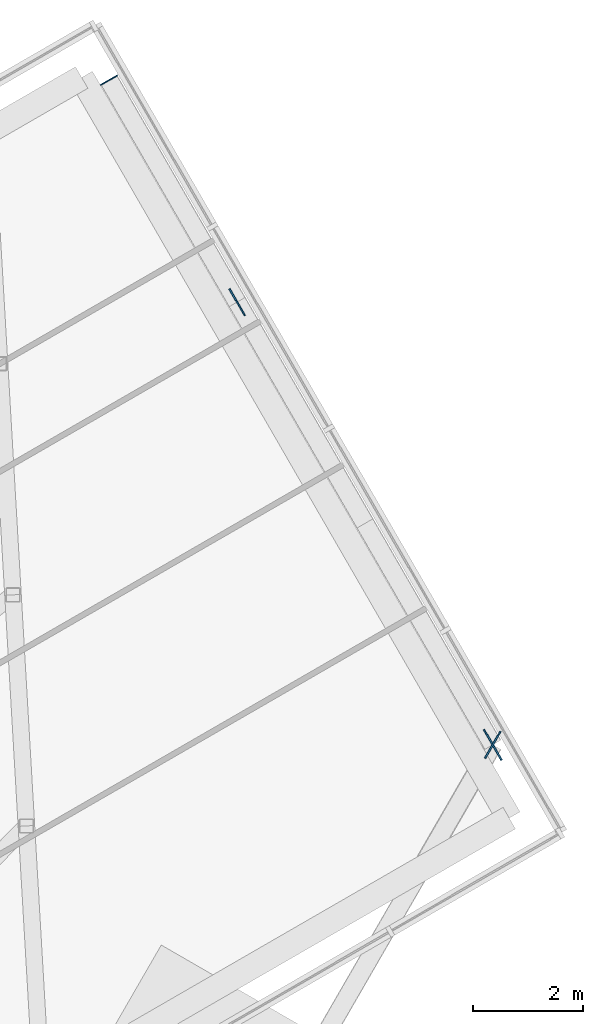
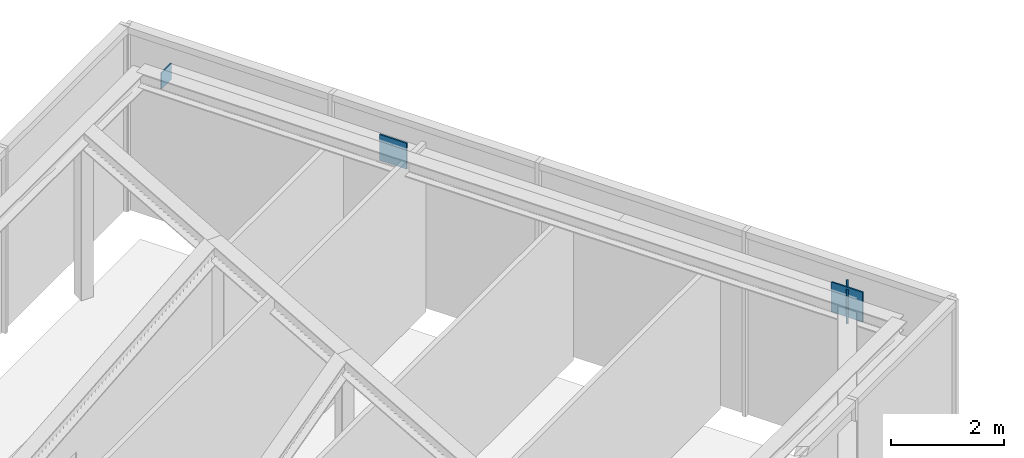
# One storey, part 24 of 27: 4 discrete accessories.
"""IFC4 building model written with IfcOpenShell, lengths in metres."""

from ifc_helpers import new_model, si_unit, direction, frame, origin, origin_2d, place, context, subcontext, project, spatial, rectangle, extrude, material, layer, layer_set, type_object, element, save


model = new_model("IFC4")

# Units and contexts
model_context = context("Model", 3, precision=1e-05, world=origin(), true_north=direction((0.0, 1.0)))
body_context = subcontext(model_context, "Body", "Model", "MODEL_VIEW")
ifc_project = project(units=[si_unit("LENGTHUNIT", "METRE"), si_unit("AREAUNIT", "SQUARE_METRE"), si_unit("VOLUMEUNIT", "CUBIC_METRE"), si_unit("PLANEANGLEUNIT", "RADIAN"), si_unit("MASSUNIT", "GRAM", prefix="KILO")], contexts=[model_context])

# Site, building, storey
site_placement = place(None, origin())
site = spatial("IfcSite", under=ifc_project, at=site_placement, CompositionType="ELEMENT")
building_placement = place(site_placement, origin())
building = spatial("IfcBuilding", under=site, at=building_placement, Name="Ayvan Gate Tower", CompositionType="ELEMENT")
storey_placement = place(building_placement, frame((0.0, 0.0, 194.699951171875)))
storey = spatial("IfcBuildingStorey", under=building, at=storey_placement, Name="L52", CompositionType="ELEMENT", Elevation=194.699951171875)

# Discrete accessories
ifc_material = material(Name="Steel S460ML", Category="steel")
ifc_layer_1 = layer(ifc_material, 0.030029296875)
ifc_layer_set_1 = layer_set([ifc_layer_1], Name="Steel S460ML")
discrete_accessory_type_1 = type_object("IfcDiscreteAccessoryType", Name="Gusset plate 30 mm", PredefinedType="BRACKET", material=ifc_layer_set_1)
discrete_accessory_1_placement = place(storey_placement, frame((9.030517578125, 27.368408203125, 3.094970703125), z_axis=(0.0, 0.0, 1.0), x_axis=(0.5, 0.866025403784, 0.0)))
element("IfcDiscreteAccessory", 1, at=discrete_accessory_1_placement, inside=storey, type_object=discrete_accessory_type_1, Name="Gusset plate SBX4-B-D-1", PredefinedType="BRACKET", context=body_context, shape_type="SweptSolid", body=[
    extrude(rectangle(XDim=0.56005859375, YDim=0.030029296875, at=origin_2d()), origin(), (0.0, 0.0, 1.0), 0.56005859375),
])
discrete_accessory_2_placement = place(storey_placement, frame((9.030517578125, 27.368408203125, 3.052978515625), z_axis=(0.0, 0.0, 1.0), x_axis=(-0.5, 0.866025403784, 0.0)))
element("IfcDiscreteAccessory", 2, at=discrete_accessory_2_placement, inside=storey, type_object=discrete_accessory_type_1, Name="Gusset plate SBX4-B-D-2", PredefinedType="BRACKET", context=body_context, shape_type="SweptSolid", body=[
    extrude(rectangle(XDim=0.64404296875, YDim=0.030029296875, at=origin_2d()), origin(), (0.0, 0.0, 1.0), 0.64404296875),
])
discrete_accessory_3_placement = place(storey_placement, frame((4.397216796875, 35.393798828125, 3.094970703125), z_axis=(0.0, 0.0, 1.0), x_axis=(-0.5, 0.866025403784, 0.0)))
element("IfcDiscreteAccessory", 3, at=discrete_accessory_3_placement, inside=storey, type_object=discrete_accessory_type_1, Name="Gusset plate SBX4-B-D-3", PredefinedType="BRACKET", context=body_context, shape_type="SweptSolid", body=[
    extrude(rectangle(XDim=0.56005859375, YDim=0.030029296875, at=origin_2d()), origin(), (0.0, 0.0, 1.0), 0.56005859375),
])
ifc_layer_2 = layer(ifc_material, 0.02001953125)
ifc_layer_set_2 = layer_set([ifc_layer_2], Name="Steel S460ML")
discrete_accessory_type_2 = type_object("IfcDiscreteAccessoryType", Name="Sky bar end cap plate", PredefinedType="BRACKET", material=ifc_layer_set_2)
discrete_accessory_4_placement = place(storey_placement, frame((2.07568359375, 39.414794921875, 3.199951171875), z_axis=(0.0, 0.0, 1.0), x_axis=(-0.5, 0.866025403784, 0.0)))
element("IfcDiscreteAccessory", 4, at=discrete_accessory_4_placement, inside=storey, type_object=discrete_accessory_type_2, Name="End cap SBX4-B-TC-4:EC", PredefinedType="BRACKET", context=body_context, shape_type="SweptSolid", body=[
    extrude(rectangle(XDim=0.02001953125, YDim=0.35009765625, at=origin_2d()), origin(), (0.0, 0.0, 1.0), 0.35009765625),
])

save(model, "model.ifc")
